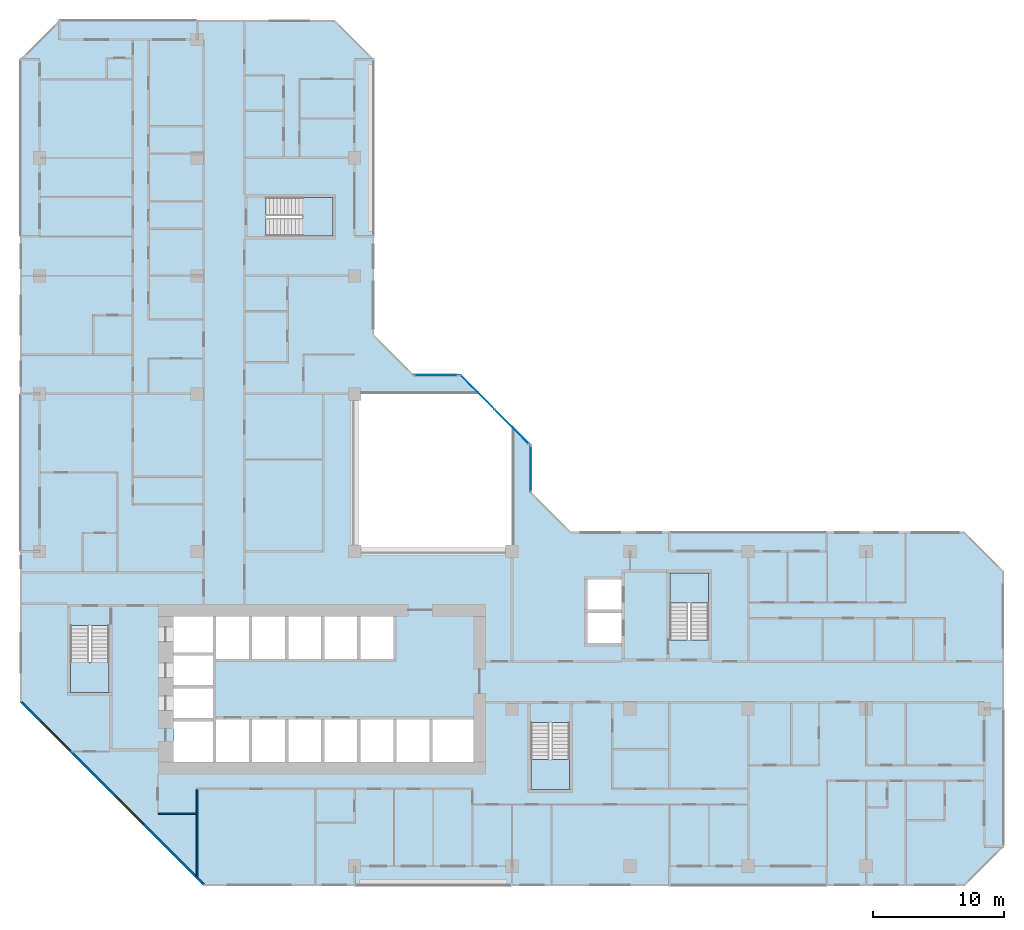
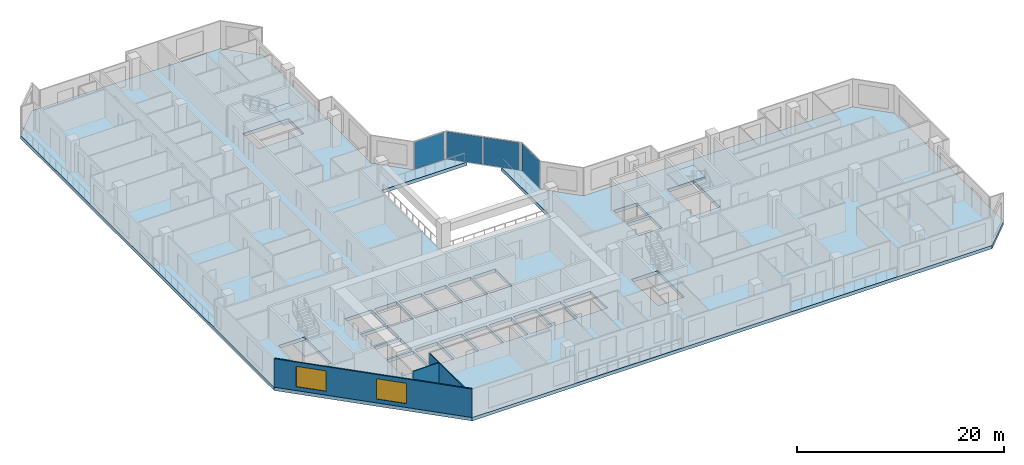
# One storey, part 3 of 15: 5 slabs, 4 plates, 3 walls, 2 windows, 2 openings, 7 elements without a shape of their own.
"""IFC4 building model written with IfcOpenShell, lengths in metres."""

from ifc_helpers import new_model, si_unit, direction, frame, frame_2d, origin, origin_2d, place, context, subcontext, project, spatial, polyline, rectangle, outline, extrude, material, layer, layer_set, type_object, element, fill, aggregate, save


model = new_model("IFC4")

# Units and contexts
model_context = context("Model", 3, precision=1e-05, world=origin(), true_north=direction((0.0, 1.0)))
body_context = subcontext(model_context, "Body", "Model", "MODEL_VIEW")
ifc_project = project(units=[si_unit("LENGTHUNIT", "METRE"), si_unit("AREAUNIT", "SQUARE_METRE"), si_unit("VOLUMEUNIT", "CUBIC_METRE"), si_unit("PLANEANGLEUNIT", "RADIAN"), si_unit("MASSUNIT", "GRAM", prefix="KILO")], contexts=[model_context])

# Site, building, storey
site_placement = place(None, origin())
site = spatial("IfcSite", under=ifc_project, at=site_placement, CompositionType="ELEMENT")
building_placement = place(site_placement, origin())
building = spatial("IfcBuilding", under=site, at=building_placement, Name="Chenar Terraces", CompositionType="ELEMENT")
storey_placement = place(building_placement, frame((0.0, 0.0, 125.64990234375)))
storey = spatial("IfcBuildingStorey", under=building, at=storey_placement, Name="L29", CompositionType="ELEMENT", Elevation=125.64990234375)

# Curtain wall, plate
ifc_material_1 = material(Name="Aluminium framed glazing", Category="aluminium")
ifc_layer_1 = layer(ifc_material_1, 0.14990234375)
ifc_layer_set_1 = layer_set([ifc_layer_1], Name="Aluminium framed glazing")
curtain_wall_type = type_object("IfcCurtainWallType", Name="Atrium curtain wall", PredefinedType="NOTDEFINED", material=ifc_layer_set_1)
placement_1 = place(storey_placement, origin())
curtain_wall_1 = element("IfcCurtainWall", 1, at=placement_1, inside=storey, type_object=curtain_wall_type, Name="Atrium curtain wall", PredefinedType="NOTDEFINED")
ifc_material_2 = material(Name="Low emissivity laminated glass, solar control coating", Category="glass")
ifc_layer_2 = layer(ifc_material_2, 0.028076171875)
ifc_layer_set_2 = layer_set([ifc_layer_2], Name="Low emissivity laminated glass, solar control coating")
plate_type = type_object("IfcPlateType", Name="Atrium glazing panel 28", PredefinedType="CURTAIN_PANEL", material=ifc_layer_set_2)
plate_1_placement = place(storey_placement, frame((37.425048828125, 30.300048828125, 0.06005859375), z_axis=(0.0, 0.0, 1.0), x_axis=(0.0, 1.0, 0.0)))
plate_1 = element("IfcPlate", 2, at=plate_1_placement, type_object=plate_type, Name="CW1-1 panel 1.1", PredefinedType="CURTAIN_PANEL", context=body_context, shape_type="SweptSolid", body=[
    extrude(rectangle(XDim=3.47998046875, YDim=0.028076171875, at=origin_2d()), origin(), (0.0, 0.0, 1.0), 3.22998046875),
])
aggregate(curtain_wall_1, [plate_1])

# Curtain wall, plates
curtain_wall_2 = element("IfcCurtainWall", 3, at=placement_1, inside=storey, type_object=curtain_wall_type, Name="Atrium curtain wall", PredefinedType="NOTDEFINED")
plate_2_placement = place(storey_placement, frame((35.980224609375, 33.513671875, 0.06005859375), z_axis=(0.0, 0.0, 1.0), x_axis=(-0.707106781187, 0.707106781187, 0.0)))
plate_2 = element("IfcPlate", 4, at=plate_2_placement, type_object=plate_type, Name="CW1-2 panel 1.1", PredefinedType="CURTAIN_PANEL", context=body_context, shape_type="SweptSolid", body=[
    extrude(rectangle(XDim=3.62841796875, YDim=0.028076171875, at=origin_2d()), origin(), (0.0, 0.0, 1.0), 3.22998046875),
])
plate_3_placement = place(storey_placement, frame((33.3720703125, 36.121826171875, 0.06005859375), z_axis=(0.0, 0.0, 1.0), x_axis=(-0.707106781187, 0.707106781187, 0.0)))
plate_3 = element("IfcPlate", 5, at=plate_3_placement, type_object=plate_type, Name="CW1-2 panel 2.1", PredefinedType="CURTAIN_PANEL", context=body_context, shape_type="SweptSolid", body=[
    extrude(rectangle(XDim=3.62841796875, YDim=0.028076171875, at=origin_2d()), origin(), (0.0, 0.0, 1.0), 3.22998046875),
])
aggregate(curtain_wall_2, [plate_2, plate_3])

# Curtain wall, plate
curtain_wall_3 = element("IfcCurtainWall", 6, at=placement_1, inside=storey, type_object=curtain_wall_type, Name="Atrium curtain wall", PredefinedType="NOTDEFINED")
plate_4_placement = place(storey_placement, frame((30.199951171875, 37.425048828125, 0.06005859375), z_axis=(0.0, 0.0, 1.0), x_axis=(-1.0, 0.0, 0.0)))
plate_4 = element("IfcPlate", 7, at=plate_4_placement, type_object=plate_type, Name="CW1-3 panel 1.1", PredefinedType="CURTAIN_PANEL", context=body_context, shape_type="SweptSolid", body=[
    extrude(rectangle(XDim=3.280029296875, YDim=0.028076171875, at=origin_2d()), origin(), (0.0, 0.0, 1.0), 3.22998046875),
])
aggregate(curtain_wall_3, [plate_4])

# Stair, slab
ifc_material_3 = material(Name="Reinforced concrete C40/50", Category="concrete")
stair_type = type_object("IfcStairType", Name="Core stair 1400 half-turn", PredefinedType="HALF_TURN_STAIR", material=ifc_material_3)
stair_1 = element("IfcStair", 8, at=placement_1, inside=storey, type_object=stair_type, Name="L29 Stair 1", PredefinedType="HALF_TURN_STAIR")
ifc_material_4 = material(Name="Reinforced concrete C40/50", Category="concrete")
ifc_layer_3 = layer(ifc_material_4, 0.199951171875)
ifc_layer_set_3 = layer_set([ifc_layer_3], Name="Reinforced concrete C40/50")
slab_type_1 = type_object("IfcSlabType", Name="Core stair landing 200", PredefinedType="LANDING", material=ifc_layer_set_3)
placement_2 = place(storey_placement, frame((0.0, 0.0, 1.675048828125)))
slab_1 = element("IfcSlab", 9, at=placement_2, type_object=slab_type_1, Name="ST1 landing 1", PredefinedType="LANDING", context=body_context, shape_type="SweptSolid", body=[
    extrude(outline(polyline([(2.35009765625, 15.550048828125), (2.35009765625, 13.25), (5.300048828125, 13.25), (5.300048828125, 15.550048828125), (2.35009765625, 15.550048828125)])), origin(), (0.0, 0.0, 1.0), 0.199951171875),
])
aggregate(stair_1, [slab_1])

stair_2 = element("IfcStair", 10, at=placement_1, inside=storey, type_object=stair_type, Name="L29 Stair 2", PredefinedType="HALF_TURN_STAIR")
slab_2 = element("IfcSlab", 11, at=placement_2, type_object=slab_type_1, Name="ST2 landing 1", PredefinedType="LANDING", context=body_context, shape_type="SweptSolid", body=[
    extrude(outline(polyline([(37.449951171875, 8.14990234375), (37.449951171875, 5.85009765625), (40.39990234375, 5.85009765625), (40.39990234375, 8.14990234375), (37.449951171875, 8.14990234375)])), origin(), (0.0, 0.0, 1.0), 0.199951171875),
])
aggregate(stair_2, [slab_2])

stair_3 = element("IfcStair", 12, at=placement_1, inside=storey, type_object=stair_type, Name="L29 Stair 3", PredefinedType="HALF_TURN_STAIR")
slab_3 = element("IfcSlab", 13, at=placement_2, type_object=slab_type_1, Name="ST3 landing 1", PredefinedType="LANDING", context=body_context, shape_type="SweptSolid", body=[
    extrude(outline(polyline([(50.97509765625, 20.050048828125), (50.97509765625, 22.35009765625), (48.02490234375, 22.35009765625), (48.02490234375, 20.050048828125), (50.97509765625, 20.050048828125)])), origin(), (0.0, 0.0, 1.0), 0.199951171875),
])
aggregate(stair_3, [slab_3])

stair_4 = element("IfcStair", 14, at=placement_1, inside=storey, type_object=stair_type, Name="L29 Stair 4", PredefinedType="HALF_TURN_STAIR")
slab_4 = element("IfcSlab", 15, at=placement_2, type_object=slab_type_1, Name="ST4 landing 1", PredefinedType="LANDING", context=body_context, shape_type="SweptSolid", body=[
    extrude(outline(polyline([(20.050048828125, 48.02490234375), (22.35009765625, 48.02490234375), (22.35009765625, 50.97509765625), (20.050048828125, 50.97509765625), (20.050048828125, 48.02490234375)])), origin(), (0.0, 0.0, 1.0), 0.199951171875),
])
aggregate(stair_4, [slab_4])

# Slab
ifc_material_5 = material(Name="Concrete C40/50", Category="concrete")
ifc_layer_4 = layer(ifc_material_5, 0.39990234375)
ifc_layer_set_4 = layer_set([ifc_layer_4], Name="Concrete C40/50")
slab_type_2 = type_object("IfcSlabType", Name="Floor slab 400 Concrete C40/50", PredefinedType="FLOOR", material=ifc_layer_set_4)
slab_5_placement = place(storey_placement, frame((0.0, 0.0, -0.39990234375)))
element("IfcSlab", 16, at=slab_5_placement, inside=storey, type_object=slab_type_2, Name="Floor slab L29", PredefinedType="FLOOR", context=body_context, shape_type="SweptSolid", body=[
    extrude(outline(polyline([(73.5, 22.5), (73.5, 1.5), (70.5, -1.5), (12.5, -1.5), (-1.5, 12.5), (-1.5, 61.5), (1.5, 64.5), (22.5, 64.5), (25.5, 61.5), (25.5, 40.5), (28.5, 37.5), (32.10009765625, 37.5), (33.60009765625, 36.0), (24.0, 36.0), (24.0, 24.0), (36.0, 24.0), (36.0, 33.60009765625), (37.5, 32.10009765625), (37.5, 28.5), (40.5, 25.5), (70.5, 25.5), (73.5, 22.5)]), holes=[polyline([(13.199951171875, 11.050048828125), (10.199951171875, 11.050048828125), (10.199951171875, 7.949951171875), (13.199951171875, 7.949951171875), (13.199951171875, 11.050048828125)]), polyline([(15.949951171875, 11.199951171875), (13.449951171875, 11.199951171875), (13.449951171875, 7.949951171875), (15.949951171875, 7.949951171875), (15.949951171875, 11.199951171875)]), polyline([(18.699951171875, 11.199951171875), (16.199951171875, 11.199951171875), (16.199951171875, 7.949951171875), (18.699951171875, 7.949951171875), (18.699951171875, 11.199951171875)]), polyline([(21.449951171875, 7.949951171875), (21.449951171875, 11.199951171875), (18.949951171875, 11.199951171875), (18.949951171875, 7.949951171875), (21.449951171875, 7.949951171875)]), polyline([(13.199951171875, 11.300048828125), (13.199951171875, 13.550048828125), (10.199951171875, 13.550048828125), (10.199951171875, 11.300048828125), (13.199951171875, 11.300048828125)]), polyline([(13.199951171875, 16.050048828125), (10.199951171875, 16.050048828125), (10.199951171875, 13.800048828125), (13.199951171875, 13.800048828125), (13.199951171875, 16.050048828125)]), polyline([(2.35009765625, 18.35009765625), (2.35009765625, 13.25), (5.300048828125, 13.25), (5.300048828125, 18.35009765625), (2.35009765625, 18.35009765625)]), polyline([(15.949951171875, 15.800048828125), (15.949951171875, 19.050048828125), (13.449951171875, 19.050048828125), (13.449951171875, 15.800048828125), (15.949951171875, 15.800048828125)]), polyline([(18.699951171875, 19.050048828125), (16.199951171875, 19.050048828125), (16.199951171875, 15.800048828125), (18.699951171875, 15.800048828125), (18.699951171875, 19.050048828125)]), polyline([(21.449951171875, 15.800048828125), (21.449951171875, 19.050048828125), (18.949951171875, 19.050048828125), (18.949951171875, 15.800048828125), (21.449951171875, 15.800048828125)]), polyline([(13.199951171875, 16.300048828125), (13.199951171875, 19.050048828125), (10.199951171875, 19.050048828125), (10.199951171875, 16.300048828125), (13.199951171875, 16.300048828125)]), polyline([(22.35009765625, 48.02490234375), (22.35009765625, 50.97509765625), (17.25, 50.97509765625), (17.25, 48.02490234375), (22.35009765625, 48.02490234375)]), polyline([(37.449951171875, 10.949951171875), (37.449951171875, 5.85009765625), (40.39990234375, 5.85009765625), (40.39990234375, 10.949951171875), (37.449951171875, 10.949951171875)]), polyline([(24.199951171875, 7.949951171875), (24.199951171875, 11.199951171875), (21.699951171875, 11.199951171875), (21.699951171875, 7.949951171875), (24.199951171875, 7.949951171875)]), polyline([(26.949951171875, 11.199951171875), (24.449951171875, 11.199951171875), (24.449951171875, 7.949951171875), (26.949951171875, 7.949951171875), (26.949951171875, 11.199951171875)]), polyline([(29.699951171875, 7.949951171875), (29.699951171875, 11.199951171875), (27.199951171875, 11.199951171875), (27.199951171875, 7.949951171875), (29.699951171875, 7.949951171875)]), polyline([(33.050048828125, 7.949951171875), (33.050048828125, 11.199951171875), (29.949951171875, 11.199951171875), (29.949951171875, 7.949951171875), (33.050048828125, 7.949951171875)]), polyline([(24.199951171875, 19.050048828125), (21.699951171875, 19.050048828125), (21.699951171875, 15.800048828125), (24.199951171875, 15.800048828125), (24.199951171875, 19.050048828125)]), polyline([(26.949951171875, 15.800048828125), (26.949951171875, 19.050048828125), (24.449951171875, 19.050048828125), (24.449951171875, 15.800048828125), (26.949951171875, 15.800048828125)]), polyline([(44.35009765625, 17.0), (44.35009765625, 19.300048828125), (41.75, 19.300048828125), (41.75, 17.0), (44.35009765625, 17.0)]), polyline([(50.97509765625, 22.35009765625), (48.02490234375, 22.35009765625), (48.02490234375, 17.25), (50.97509765625, 17.25), (50.97509765625, 22.35009765625)]), polyline([(44.35009765625, 19.550048828125), (44.35009765625, 21.85009765625), (41.75, 21.85009765625), (41.75, 19.550048828125), (44.35009765625, 19.550048828125)])]), origin(), (0.0, 0.0, 1.0), 0.39990234375),
])

# Walls
ifc_material_6 = material(Name="Gypsum board on steel studs", Category="steel")
ifc_layer_5 = layer(ifc_material_6, 0.10009765625)
ifc_layer_set_5 = layer_set([ifc_layer_5], Name="Gypsum board on steel studs")
wall_type_1 = type_object("IfcWallType", Name="Gypsum partition 100", PredefinedType="PARTITIONING", material=ifc_layer_set_5)
wall_1_placement = place(storey_placement, frame((9.050048828125, 4.0, 0.0), z_axis=(0.0, 0.0, 1.0), x_axis=(1.0, 0.0, 0.0)))
element("IfcWall", 17, at=wall_1_placement, inside=storey, type_object=wall_type_1, Name="Partition L29-033", PredefinedType="PARTITIONING", context=body_context, shape_type="SweptSolid", body=[
    extrude(rectangle(XDim=2.89990234375, YDim=0.10009765625, at=frame_2d((1.449951171875, 0.0))), origin(), (0.0, 0.0, 1.0), 3.35009765625),
])
wall_2_placement = place(storey_placement, frame((12.0, -0.787841796875, 0.0), z_axis=(0.0, 0.0, 1.0), x_axis=(0.0, 1.0, 0.0)))
element("IfcWall", 18, at=wall_2_placement, inside=storey, type_object=wall_type_1, Name="Partition L29-035", PredefinedType="PARTITIONING", context=body_context, shape_type="SweptSolid", body=[
    extrude(rectangle(XDim=6.61279296875, YDim=0.10009765625, at=frame_2d((3.306396484375, 0.0))), origin(), (0.0, 0.0, 1.0), 3.35009765625),
])

# Wall, openings, windows
ifc_material_7 = material(Name="Terracotta cladding on insulated backing", Category="masonry")
ifc_layer_6 = layer(ifc_material_7, 0.14990234375)
ifc_layer_set_6 = layer_set([ifc_layer_6], Name="Terracotta cladding on insulated backing")
wall_type_2 = type_object("IfcWallType", Name="Terracotta rainscreen wall 150", PredefinedType="SOLIDWALL", material=ifc_layer_set_6)
wall_3_placement = place(storey_placement, frame((-1.447021484375, 12.552978515625, 0.0), z_axis=(0.0, 0.0, 1.0), x_axis=(0.707106781187, -0.707106781187, 0.0)))
wall_3 = element("IfcWall", 19, at=wall_3_placement, inside=storey, type_object=wall_type_2, Name="Terracotta rainscreen wall", PredefinedType="SOLIDWALL", context=body_context, shape_type="SweptSolid", body=[
    extrude(rectangle(XDim=19.799072265625, YDim=0.14990234375, at=frame_2d((9.8994140625, 0.0))), origin(), (0.0, 0.0, 1.0), 3.35009765625),
])
opening_1_placement = place(wall_3_placement, frame((2.21240234375, 0.0, 0.449951171875)))
opening_1 = element("IfcOpeningElement", 20, at=opening_1_placement, cuts=wall_3, Name="Opening W300x240", PredefinedType="OPENING", context=body_context, shape_type="SweptSolid", body=[
    extrude(rectangle(XDim=3.0, YDim=2.39990234375, at=frame_2d((1.5, 1.199951171875))), frame((0.0, 0.0849609375, 0.0), z_axis=(0.0, -1.0, 0.0), x_axis=(1.0, 0.0, 0.0)), (0.0, 0.0, 1.0), 0.169921875),
])
opening_2_placement = place(wall_3_placement, frame((10.215576171875, 0.0, 0.449951171875)))
opening_2 = element("IfcOpeningElement", 21, at=opening_2_placement, cuts=wall_3, Name="Opening W300x240", PredefinedType="OPENING", context=body_context, shape_type="SweptSolid", body=[
    extrude(rectangle(XDim=3.0, YDim=2.39990234375, at=frame_2d((1.5, 1.199951171875))), frame((0.0, 0.0849609375, 0.0), z_axis=(0.0, -1.0, 0.0), x_axis=(1.0, 0.0, 0.0)), (0.0, 0.0, 1.0), 0.169921875),
])
ifc_material_8 = material(Name="Low emissivity double glazing, aluminium frame", Category="aluminium")
window_type = type_object("IfcWindowType", Name="Fixed light 3000 x 2400", PartitioningType="SINGLE_PANEL", PredefinedType="WINDOW", material=ifc_material_8)
window_1_placement = place(opening_1_placement, origin())
window_1 = element("IfcWindow", 22, at=window_1_placement, inside=storey, type_object=window_type, Name="Window", OverallHeight=2.39990234375, OverallWidth=3.0, PartitioningType="SINGLE_PANEL", PredefinedType="WINDOW", context=body_context, shape_type="SweptSolid", body=[
    extrude(rectangle(XDim=3.0, YDim=2.39990234375, at=frame_2d((1.5, 1.199951171875))), frame((0.0, 0.030029296875, 0.0), z_axis=(0.0, -1.0, 0.0), x_axis=(1.0, 0.0, 0.0)), (0.0, 0.0, 1.0), 0.06005859375),
])
fill(opening_1, window_1)
window_2_placement = place(opening_2_placement, origin())
window_2 = element("IfcWindow", 23, at=window_2_placement, inside=storey, type_object=window_type, Name="Window", OverallHeight=2.39990234375, OverallWidth=3.0, PartitioningType="SINGLE_PANEL", PredefinedType="WINDOW", context=body_context, shape_type="SweptSolid", body=[
    extrude(rectangle(XDim=3.0, YDim=2.39990234375, at=frame_2d((1.5, 1.199951171875))), frame((0.0, 0.030029296875, 0.0), z_axis=(0.0, -1.0, 0.0), x_axis=(1.0, 0.0, 0.0)), (0.0, 0.0, 1.0), 0.06005859375),
])
fill(opening_2, window_2)

save(model, "model.ifc")
